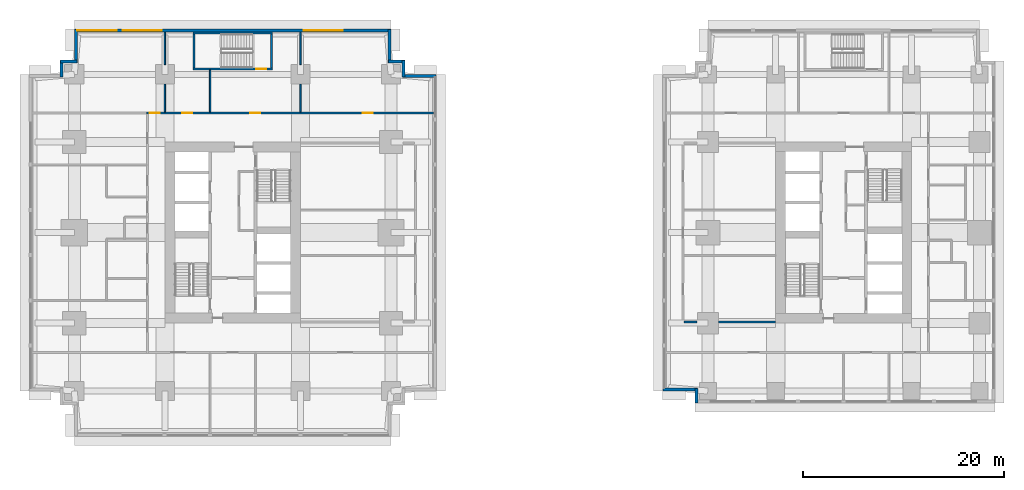
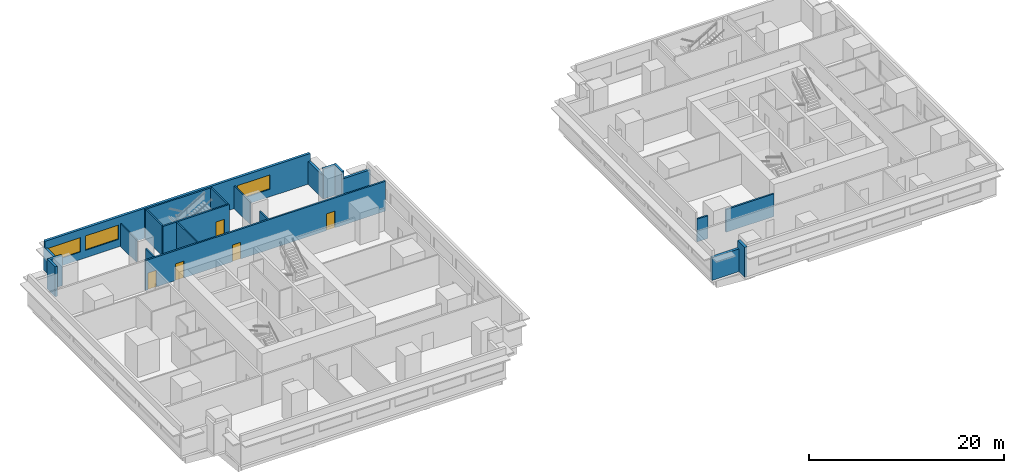
# One storey, part 5 of 11: 22 walls, 5 doors, 3 windows, 8 openings.
"""IFC4 building model written with IfcOpenShell, lengths in metres."""

from ifc_helpers import new_model, si_unit, direction, frame, frame_2d, origin, place, context, subcontext, project, spatial, rectangle, extrude, material, layer, layer_set, type_object, element, fill, save


model = new_model("IFC4")

# Units and contexts
model_context = context("Model", 3, precision=1e-05, world=origin(), true_north=direction((0.0, 1.0)))
body_context = subcontext(model_context, "Body", "Model", "MODEL_VIEW")
ifc_project = project(units=[si_unit("LENGTHUNIT", "METRE"), si_unit("AREAUNIT", "SQUARE_METRE"), si_unit("VOLUMEUNIT", "CUBIC_METRE"), si_unit("PLANEANGLEUNIT", "RADIAN"), si_unit("MASSUNIT", "GRAM", prefix="KILO")], contexts=[model_context])

# Site, building, storey
site_placement = place(None, origin())
site = spatial("IfcSite", under=ifc_project, at=site_placement, CompositionType="ELEMENT")
building_placement = place(site_placement, origin())
building = spatial("IfcBuilding", under=site, at=building_placement, Name="Namib Vertical Campus", CompositionType="ELEMENT")
storey_placement = place(building_placement, frame((0.0, 0.0, 97.0)))
storey = spatial("IfcBuildingStorey", under=building, at=storey_placement, Name="L22", CompositionType="ELEMENT", Elevation=97.0)

# Wall, openings, doors
ifc_material_1 = material(Name="Concrete masonry", Category="masonry")
ifc_layer_1 = layer(ifc_material_1, 0.199951171875)
ifc_layer_set_1 = layer_set([ifc_layer_1], Name="Corridor wall 200")
wall_type_1 = type_object("IfcWallType", Name="Corridor wall 200", PredefinedType="SOLIDWALL", material=ifc_layer_set_1)
wall_1_placement = place(storey_placement, frame((40.199951171875, 32.14990234375, 0.0), z_axis=(0.0, 0.0, 1.0), x_axis=(-1.0, 0.0, 0.0)))
wall_1 = element("IfcWall", 1, at=wall_1_placement, inside=storey, type_object=wall_type_1, Name="Corridor wall A L22 CN", PredefinedType="SOLIDWALL", context=body_context, shape_type="SweptSolid", body=[
    extrude(rectangle(XDim=28.5, YDim=0.199951171875, at=frame_2d((14.25, 0.0))), origin(), (0.0, 0.0, 1.0), 3.75),
])
opening_1_placement = place(wall_1_placement, frame((27.199951171875, 0.0, 0.0)))
opening_1 = element("IfcOpeningElement", 2, at=opening_1_placement, cuts=wall_1, Name="Opening CD1", PredefinedType="OPENING", context=body_context, shape_type="SweptSolid", body=[
    extrude(rectangle(XDim=1.0, YDim=2.10009765625, at=frame_2d((0.5, 1.050048828125))), frame((0.0, 0.10986328125, 0.0), z_axis=(0.0, -1.0, 0.0), x_axis=(1.0, 0.0, 0.0)), (0.0, 0.0, 1.0), 0.219970703125),
])
opening_2_placement = place(wall_1_placement, frame((23.949951171875, 0.0, 0.0)))
opening_2 = element("IfcOpeningElement", 3, at=opening_2_placement, cuts=wall_1, Name="Opening CD1", PredefinedType="OPENING", context=body_context, shape_type="SweptSolid", body=[
    extrude(rectangle(XDim=1.0, YDim=2.10009765625, at=frame_2d((0.5, 1.050048828125))), frame((0.0, 0.10986328125, 0.0), z_axis=(0.0, -1.0, 0.0), x_axis=(1.0, 0.0, 0.0)), (0.0, 0.0, 1.0), 0.219970703125),
])
opening_3_placement = place(wall_1_placement, frame((17.199951171875, 0.0, 0.0)))
opening_3 = element("IfcOpeningElement", 4, at=opening_3_placement, cuts=wall_1, Name="Opening CD1", PredefinedType="OPENING", context=body_context, shape_type="SweptSolid", body=[
    extrude(rectangle(XDim=1.0, YDim=2.10009765625, at=frame_2d((0.5, 1.050048828125))), frame((0.0, 0.10986328125, 0.0), z_axis=(0.0, -1.0, 0.0), x_axis=(1.0, 0.0, 0.0)), (0.0, 0.0, 1.0), 0.219970703125),
])
opening_4_placement = place(wall_1_placement, frame((6.0, 0.0, 0.0)))
opening_4 = element("IfcOpeningElement", 5, at=opening_4_placement, cuts=wall_1, Name="Opening CD1", PredefinedType="OPENING", context=body_context, shape_type="SweptSolid", body=[
    extrude(rectangle(XDim=1.0, YDim=2.10009765625, at=frame_2d((0.5, 1.050048828125))), frame((0.0, 0.10986328125, 0.0), z_axis=(0.0, -1.0, 0.0), x_axis=(1.0, 0.0, 0.0)), (0.0, 0.0, 1.0), 0.219970703125),
])
ifc_material_2 = material(Name="Timber fire door leaf", Category="wood")
door_type_1 = type_object("IfcDoorType", Name="Corridor door 1000x2100 20 min", OperationType="SINGLE_SWING_LEFT", PredefinedType="DOOR", material=ifc_material_2)
door_1_placement = place(opening_1_placement, frame((1.0, 0.0, 0.0), z_axis=(0.0, 0.0, 1.0), x_axis=(-1.0, 0.0, 0.0)))
door_1 = element("IfcDoor", 6, at=door_1_placement, inside=storey, type_object=door_type_1, Name="Door CD1 A22-07", OperationType="SINGLE_SWING_RIGHT", OverallHeight=2.10009765625, OverallWidth=1.0, PredefinedType="DOOR", context=body_context, shape_type="SweptSolid", body=[
    extrude(rectangle(XDim=1.0, YDim=2.10009765625, at=frame_2d((0.5, 1.050048828125))), frame((0.0, 0.02490234375, 0.0), z_axis=(0.0, -1.0, 0.0), x_axis=(1.0, 0.0, 0.0)), (0.0, 0.0, 1.0), 0.050048828125),
])
fill(opening_1, door_1)
door_2_placement = place(opening_2_placement, frame((1.0, 0.0, 0.0), z_axis=(0.0, 0.0, 1.0), x_axis=(-1.0, 0.0, 0.0)))
door_2 = element("IfcDoor", 7, at=door_2_placement, inside=storey, type_object=door_type_1, Name="Door CD1 A22-08", OperationType="SINGLE_SWING_RIGHT", OverallHeight=2.10009765625, OverallWidth=1.0, PredefinedType="DOOR", context=body_context, shape_type="SweptSolid", body=[
    extrude(rectangle(XDim=1.0, YDim=2.10009765625, at=frame_2d((0.5, 1.050048828125))), frame((0.0, 0.02490234375, 0.0), z_axis=(0.0, -1.0, 0.0), x_axis=(1.0, 0.0, 0.0)), (0.0, 0.0, 1.0), 0.050048828125),
])
fill(opening_2, door_2)
door_3_placement = place(opening_3_placement, frame((1.0, 0.0, 0.0), z_axis=(0.0, 0.0, 1.0), x_axis=(-1.0, 0.0, 0.0)))
door_3 = element("IfcDoor", 8, at=door_3_placement, inside=storey, type_object=door_type_1, Name="Door CD1 A22-09", OperationType="SINGLE_SWING_RIGHT", OverallHeight=2.10009765625, OverallWidth=1.0, PredefinedType="DOOR", context=body_context, shape_type="SweptSolid", body=[
    extrude(rectangle(XDim=1.0, YDim=2.10009765625, at=frame_2d((0.5, 1.050048828125))), frame((0.0, 0.02490234375, 0.0), z_axis=(0.0, -1.0, 0.0), x_axis=(1.0, 0.0, 0.0)), (0.0, 0.0, 1.0), 0.050048828125),
])
fill(opening_3, door_3)
door_4_placement = place(opening_4_placement, frame((1.0, 0.0, 0.0), z_axis=(0.0, 0.0, 1.0), x_axis=(-1.0, 0.0, 0.0)))
door_4 = element("IfcDoor", 9, at=door_4_placement, inside=storey, type_object=door_type_1, Name="Door CD1 A22-10", OperationType="SINGLE_SWING_LEFT", OverallHeight=2.10009765625, OverallWidth=1.0, PredefinedType="DOOR", context=body_context, shape_type="SweptSolid", body=[
    extrude(rectangle(XDim=1.0, YDim=2.10009765625, at=frame_2d((0.5, 1.050048828125))), frame((0.0, 0.02490234375, 0.0), z_axis=(0.0, -1.0, 0.0), x_axis=(1.0, 0.0, 0.0)), (0.0, 0.0, 1.0), 0.050048828125),
])
fill(opening_4, door_4)

# Walls
wall_2_placement = place(storey_placement, frame((65.14990234375, 11.35009765625, 0.0), z_axis=(0.0, 0.0, 1.0), x_axis=(1.0, 0.0, 0.0)))
element("IfcWall", 10, at=wall_2_placement, inside=storey, type_object=wall_type_1, Name="Corridor wall B L22 GS", PredefinedType="SOLIDWALL", context=body_context, shape_type="SweptSolid", body=[
    extrude(rectangle(XDim=1.280029296875, YDim=0.199951171875, at=frame_2d((0.64013671875, 0.0))), origin(), (0.0, 0.0, 1.0), 2.85009765625),
])
wall_3_placement = place(storey_placement, frame((68.570068359375, 11.35009765625, 0.0), z_axis=(0.0, 0.0, 1.0), x_axis=(1.0, 0.0, 0.0)))
element("IfcWall", 11, at=wall_3_placement, inside=storey, type_object=wall_type_1, Name="Corridor wall B L22 GS", PredefinedType="SOLIDWALL", context=body_context, shape_type="SweptSolid", body=[
    extrude(rectangle(XDim=5.679931640625, YDim=0.199951171875, at=frame_2d((2.83984375, 0.0))), origin(), (0.0, 0.0, 1.0), 2.85009765625),
])
ifc_material_3 = material(Name="Concrete C40/50", Category="concrete")
ifc_layer_2 = layer(ifc_material_3, 0.300048828125)
ifc_layer_set_2 = layer_set([ifc_layer_2], Name="Concrete C40/50")
wall_type_2 = type_object("IfcWallType", Name="External wall 300 board-marked concrete", PredefinedType="STANDARD", material=ifc_layer_set_2)
wall_4_placement = place(storey_placement, frame((40.47998046875, 35.85009765625, 0.0), z_axis=(0.0, 0.0, 1.0), x_axis=(-1.0, 0.0, 0.0)))
element("IfcWall", 12, at=wall_4_placement, inside=storey, type_object=wall_type_2, Name="External wall L22 F07", PredefinedType="STANDARD", context=body_context, shape_type="SweptSolid", body=[
    extrude(rectangle(XDim=3.35986328125, YDim=0.300048828125, at=frame_2d((1.679931640625, 0.0))), origin(), (0.0, 0.0, 1.0), 2.85009765625),
])
for number, where, z_axis, x_axis, name in (
    (13, (37.25, 35.719970703125, 0.0), (0.0, 0.0, 1.0), (0.0, 1.0, 0.0), "External wall L22 F08"),
    (14, (37.3798828125, 37.25, 0.0), (0.0, 0.0, 1.0), (-1.0, 0.0, 0.0), "External wall L22 F09"),
):
    element("IfcWall", number, at=place(storey_placement, frame(where, z_axis=z_axis, x_axis=x_axis)), inside=storey, type_object=wall_type_2, Name=name, PredefinedType="STANDARD", context=body_context, shape_type="SweptSolid", body=[
        extrude(rectangle(XDim=1.659912109375, YDim=0.300048828125, at=frame_2d((0.830078125, 0.0))), origin(), (0.0, 0.0, 1.0), 3.75),
    ])
wall_5_placement = place(storey_placement, frame((35.85009765625, 37.1201171875, 0.0), z_axis=(0.0, 0.0, 1.0), x_axis=(0.0, 1.0, 0.0)))
element("IfcWall", 15, at=wall_5_placement, inside=storey, type_object=wall_type_2, Name="External wall L22 F10", PredefinedType="STANDARD", context=body_context, shape_type="SweptSolid", body=[
    extrude(rectangle(XDim=3.35986328125, YDim=0.300048828125, at=frame_2d((1.679931640625, 0.0))), origin(), (0.0, 0.0, 1.0), 2.85009765625),
])

# Wall, openings, windows
wall_6_placement = place(storey_placement, frame((35.97998046875, 40.35009765625, 0.0), z_axis=(0.0, 0.0, 1.0), x_axis=(-1.0, 0.0, 0.0)))
wall_6 = element("IfcWall", 16, at=wall_6_placement, inside=storey, type_object=wall_type_2, Name="External wall L22 F11", PredefinedType="STANDARD", context=body_context, shape_type="SweptSolid", body=[
    extrude(rectangle(XDim=31.4599609375, YDim=0.300048828125, at=frame_2d((15.72998046875, 0.0))), origin(), (0.0, 0.0, 1.0), 3.75),
])
opening_5_placement = place(wall_6_placement, frame((27.280029296875, 0.0, 0.949951171875)))
opening_5 = element("IfcOpeningElement", 17, at=opening_5_placement, cuts=wall_6, Name="Opening W3", PredefinedType="OPENING", context=body_context, shape_type="SweptSolid", body=[
    extrude(rectangle(XDim=3.89990234375, YDim=1.800048828125, at=frame_2d((1.949951171875, 0.89990234375))), frame((0.0, 0.159912109375, 0.0), z_axis=(0.0, -1.0, 0.0), x_axis=(1.0, 0.0, 0.0)), (0.0, 0.0, 1.0), 0.320068359375),
])
opening_6_placement = place(wall_6_placement, frame((22.780029296875, 0.0, 0.949951171875)))
opening_6 = element("IfcOpeningElement", 18, at=opening_6_placement, cuts=wall_6, Name="Opening W3", PredefinedType="OPENING", context=body_context, shape_type="SweptSolid", body=[
    extrude(rectangle(XDim=3.89990234375, YDim=1.800048828125, at=frame_2d((1.949951171875, 0.89990234375))), frame((0.0, 0.159912109375, 0.0), z_axis=(0.0, -1.0, 0.0), x_axis=(1.0, 0.0, 0.0)), (0.0, 0.0, 1.0), 0.320068359375),
])
opening_7_placement = place(wall_6_placement, frame((4.780029296875, 0.0, 0.949951171875)))
opening_7 = element("IfcOpeningElement", 19, at=opening_7_placement, cuts=wall_6, Name="Opening W3", PredefinedType="OPENING", context=body_context, shape_type="SweptSolid", body=[
    extrude(rectangle(XDim=3.89990234375, YDim=1.800048828125, at=frame_2d((1.949951171875, 0.89990234375))), frame((0.0, 0.159912109375, 0.0), z_axis=(0.0, -1.0, 0.0), x_axis=(1.0, 0.0, 0.0)), (0.0, 0.0, 1.0), 0.320068359375),
])
ifc_material_4 = material(Name="Dark tinted glass in black aluminium frame", Category="aluminium")
window_type = type_object("IfcWindowType", Name="Ribbon window 3900x1800", PartitioningType="SINGLE_PANEL", PredefinedType="WINDOW", material=ifc_material_4)
window_1_placement = place(opening_5_placement, origin())
window_1 = element("IfcWindow", 20, at=window_1_placement, inside=storey, type_object=window_type, Name="Window W3 L22 F11-1", OverallHeight=1.800048828125, OverallWidth=3.89990234375, PartitioningType="SINGLE_PANEL", PredefinedType="WINDOW", context=body_context, shape_type="SweptSolid", body=[
    extrude(rectangle(XDim=3.89990234375, YDim=1.800048828125, at=frame_2d((1.949951171875, 0.89990234375))), frame((0.0, 0.030029296875, 0.0), z_axis=(0.0, -1.0, 0.0), x_axis=(1.0, 0.0, 0.0)), (0.0, 0.0, 1.0), 0.06005859375),
])
fill(opening_5, window_1)
window_2_placement = place(opening_6_placement, origin())
window_2 = element("IfcWindow", 21, at=window_2_placement, inside=storey, type_object=window_type, Name="Window W3 L22 F11-2", OverallHeight=1.800048828125, OverallWidth=3.89990234375, PartitioningType="SINGLE_PANEL", PredefinedType="WINDOW", context=body_context, shape_type="SweptSolid", body=[
    extrude(rectangle(XDim=3.89990234375, YDim=1.800048828125, at=frame_2d((1.949951171875, 0.89990234375))), frame((0.0, 0.030029296875, 0.0), z_axis=(0.0, -1.0, 0.0), x_axis=(1.0, 0.0, 0.0)), (0.0, 0.0, 1.0), 0.06005859375),
])
fill(opening_6, window_2)
window_3_placement = place(opening_7_placement, origin())
window_3 = element("IfcWindow", 22, at=window_3_placement, inside=storey, type_object=window_type, Name="Window W3 L22 F11-6", OverallHeight=1.800048828125, OverallWidth=3.89990234375, PartitioningType="SINGLE_PANEL", PredefinedType="WINDOW", context=body_context, shape_type="SweptSolid", body=[
    extrude(rectangle(XDim=3.89990234375, YDim=1.800048828125, at=frame_2d((1.949951171875, 0.89990234375))), frame((0.0, 0.030029296875, 0.0), z_axis=(0.0, -1.0, 0.0), x_axis=(1.0, 0.0, 0.0)), (0.0, 0.0, 1.0), 0.06005859375),
])
fill(opening_7, window_3)

# Walls
wall_7_placement = place(storey_placement, frame((4.64990234375, 40.47998046875, 0.0), z_axis=(0.0, 0.0, 1.0), x_axis=(0.0, -1.0, 0.0)))
element("IfcWall", 23, at=wall_7_placement, inside=storey, type_object=wall_type_2, Name="External wall L22 F12", PredefinedType="STANDARD", context=body_context, shape_type="SweptSolid", body=[
    extrude(rectangle(XDim=3.35986328125, YDim=0.300048828125, at=frame_2d((1.679931640625, 0.0))), origin(), (0.0, 0.0, 1.0), 2.85009765625),
])
for number, where, z_axis, x_axis, name in (
    (24, (4.780029296875, 37.25, 0.0), (0.0, 0.0, 1.0), (-1.0, 0.0, 0.0), "External wall L22 F13"),
    (25, (3.25, 37.3798828125, 0.0), (0.0, 0.0, 1.0), (0.0, -1.0, 0.0), "External wall L22 F14"),
):
    element("IfcWall", number, at=place(storey_placement, frame(where, z_axis=z_axis, x_axis=x_axis)), inside=storey, type_object=wall_type_2, Name=name, PredefinedType="STANDARD", context=body_context, shape_type="SweptSolid", body=[
        extrude(rectangle(XDim=1.659912109375, YDim=0.300048828125, at=frame_2d((0.830078125, 0.0))), origin(), (0.0, 0.0, 1.0), 3.75),
    ])
wall_8_placement = place(storey_placement, frame((63.02001953125, 4.64990234375, 0.0), z_axis=(0.0, 0.0, 1.0), x_axis=(1.0, 0.0, 0.0)))
element("IfcWall", 26, at=wall_8_placement, inside=storey, type_object=wall_type_2, Name="External wall L22 F01", PredefinedType="STANDARD", context=body_context, shape_type="SweptSolid", body=[
    extrude(rectangle(XDim=3.4599609375, YDim=0.300048828125, at=frame_2d((1.72998046875, 0.0))), origin(), (0.0, 0.0, 1.0), 2.85009765625),
])
wall_9_placement = place(storey_placement, frame((66.35009765625, 4.780029296875, 0.0), z_axis=(0.0, 0.0, 1.0), x_axis=(0.0, -1.0, 0.0)))
element("IfcWall", 27, at=wall_9_placement, inside=storey, type_object=wall_type_2, Name="External wall L22 F02", PredefinedType="STANDARD", context=body_context, shape_type="SweptSolid", body=[
    extrude(rectangle(XDim=1.4599609375, YDim=0.300048828125, at=frame_2d((0.72998046875, 0.0))), origin(), (0.0, 0.0, 1.0), 3.75),
])
ifc_material_5 = material(Name="Gypsum board on steel studs", Category="steel")
ifc_layer_3 = layer(ifc_material_5, 0.14990234375)
ifc_layer_set_3 = layer_set([ifc_layer_3], Name="Gypsum board on steel studs")
wall_type_3 = type_object("IfcWallType", Name="Partition 150", PredefinedType="PARTITIONING", material=ifc_layer_set_3)
wall_10_placement = place(storey_placement, frame((13.5, 32.25, 0.0), z_axis=(0.0, 0.0, 1.0), x_axis=(0.0, 1.0, 0.0)))
element("IfcWall", 28, at=wall_10_placement, inside=storey, type_object=wall_type_3, Name="Partition A L22 PN1", PredefinedType="PARTITIONING", context=body_context, shape_type="SweptSolid", body=[
    extrude(rectangle(XDim=2.780029296875, YDim=0.14990234375, at=frame_2d((1.39013671875, 0.0))), origin(), (0.0, 0.0, 1.0), 2.85009765625),
])
wall_11_placement = place(storey_placement, frame((13.5, 36.969970703125, 0.0), z_axis=(0.0, 0.0, 1.0), x_axis=(0.0, 1.0, 0.0)))
element("IfcWall", 29, at=wall_11_placement, inside=storey, type_object=wall_type_3, Name="Partition A L22 PN1", PredefinedType="PARTITIONING", context=body_context, shape_type="SweptSolid", body=[
    extrude(rectangle(XDim=3.22998046875, YDim=0.14990234375, at=frame_2d((1.614990234375, 0.0))), origin(), (0.0, 0.0, 1.0), 2.85009765625),
])
wall_12_placement = place(storey_placement, frame((18.0, 32.25, 0.0), z_axis=(0.0, 0.0, 1.0), x_axis=(0.0, 1.0, 0.0)))
element("IfcWall", 30, at=wall_12_placement, inside=storey, type_object=wall_type_3, Name="Partition A L22 PN2", PredefinedType="PARTITIONING", context=body_context, shape_type="SweptSolid", body=[
    extrude(rectangle(XDim=4.199951171875, YDim=0.14990234375, at=frame_2d((2.10009765625, 0.0))), origin(), (0.0, 0.0, 1.0), 3.75),
])
wall_13_placement = place(storey_placement, frame((27.0, 32.25, 0.0), z_axis=(0.0, 0.0, 1.0), x_axis=(0.0, 1.0, 0.0)))
element("IfcWall", 31, at=wall_13_placement, inside=storey, type_object=wall_type_3, Name="Partition A L22 PN3", PredefinedType="PARTITIONING", context=body_context, shape_type="SweptSolid", body=[
    extrude(rectangle(XDim=2.780029296875, YDim=0.14990234375, at=frame_2d((1.39013671875, 0.0))), origin(), (0.0, 0.0, 1.0), 2.85009765625),
])
wall_14_placement = place(storey_placement, frame((27.0, 36.969970703125, 0.0), z_axis=(0.0, 0.0, 1.0), x_axis=(0.0, 1.0, 0.0)))
element("IfcWall", 32, at=wall_14_placement, inside=storey, type_object=wall_type_3, Name="Partition A L22 PN3", PredefinedType="PARTITIONING", context=body_context, shape_type="SweptSolid", body=[
    extrude(rectangle(XDim=3.22998046875, YDim=0.14990234375, at=frame_2d((1.614990234375, 0.0))), origin(), (0.0, 0.0, 1.0), 2.85009765625),
])

# Wall, opening, door
ifc_material_6 = material(Name="Concrete C40/50", Category="concrete")
ifc_layer_4 = layer(ifc_material_6, 0.199951171875)
ifc_layer_set_4 = layer_set([ifc_layer_4], Name="Concrete C40/50")
wall_type_4 = type_object("IfcWallType", Name="Stair enclosure wall RC 200", PredefinedType="SOLIDWALL", material=ifc_layer_set_4)
wall_15_placement = place(storey_placement, frame((16.300048828125, 36.550048828125, 0.0), z_axis=(0.0, 0.0, 1.0), x_axis=(1.0, 0.0, 0.0)))
wall_15 = element("IfcWall", 33, at=wall_15_placement, inside=storey, type_object=wall_type_4, Name="Stair enclosure wall A-S3 L22 S", PredefinedType="SOLIDWALL", context=body_context, shape_type="SweptSolid", body=[
    extrude(rectangle(XDim=7.89990234375, YDim=0.199951171875, at=frame_2d((3.949951171875, 0.0))), origin(), (0.0, 0.0, 1.0), 3.75),
])
opening_8_placement = place(wall_15_placement, frame((6.300048828125, 0.0, 0.0)))
opening_8 = element("IfcOpeningElement", 34, at=opening_8_placement, cuts=wall_15, Name="Opening FD1", PredefinedType="OPENING", context=body_context, shape_type="SweptSolid", body=[
    extrude(rectangle(XDim=1.0, YDim=2.10009765625, at=frame_2d((0.5, 1.050048828125))), frame((0.0, 0.10986328125, 0.0), z_axis=(0.0, -1.0, 0.0), x_axis=(1.0, 0.0, 0.0)), (0.0, 0.0, 1.0), 0.219970703125),
])
ifc_material_7 = material(Name="Steel fire door", Category="steel")
door_type_2 = type_object("IfcDoorType", Name="Fire door 1000x2100", OperationType="SINGLE_SWING_RIGHT", PredefinedType="DOOR", material=ifc_material_7)
door_5_placement = place(opening_8_placement, origin())
door_5 = element("IfcDoor", 35, at=door_5_placement, inside=storey, type_object=door_type_2, Name="Stair door FD1 A L22 S3", OperationType="SINGLE_SWING_RIGHT", OverallHeight=2.10009765625, OverallWidth=1.0, PredefinedType="DOOR", context=body_context, shape_type="SweptSolid", body=[
    extrude(rectangle(XDim=1.0, YDim=2.10009765625, at=frame_2d((0.5, 1.050048828125))), frame((0.0, 0.02490234375, 0.0), z_axis=(0.0, -1.0, 0.0), x_axis=(1.0, 0.0, 0.0)), (0.0, 0.0, 1.0), 0.050048828125),
])
fill(opening_8, door_5)

# Walls
wall_16_placement = place(storey_placement, frame((16.300048828125, 40.10009765625, 0.0), z_axis=(0.0, 0.0, 1.0), x_axis=(1.0, 0.0, 0.0)))
element("IfcWall", 36, at=wall_16_placement, inside=storey, type_object=wall_type_4, Name="Stair enclosure wall A-S3 L22 N", PredefinedType="SOLIDWALL", context=body_context, shape_type="SweptSolid", body=[
    extrude(rectangle(XDim=7.89990234375, YDim=0.199951171875, at=frame_2d((3.949951171875, 0.0))), origin(), (0.0, 0.0, 1.0), 3.75),
])
for number, where, z_axis, x_axis, name in (
    (37, (16.39990234375, 36.64990234375, 0.0), (0.0, 0.0, 1.0), (0.0, 1.0, 0.0), "Stair enclosure wall A-S3 L22 W"),
    (38, (24.10009765625, 36.64990234375, 0.0), (0.0, 0.0, 1.0), (0.0, 1.0, 0.0), "Stair enclosure wall A-S3 L22 E"),
):
    element("IfcWall", number, at=place(storey_placement, frame(where, z_axis=z_axis, x_axis=x_axis)), inside=storey, type_object=wall_type_4, Name=name, PredefinedType="SOLIDWALL", context=body_context, shape_type="SweptSolid", body=[
        extrude(rectangle(XDim=3.35009765625, YDim=0.199951171875, at=frame_2d((1.675048828125, 0.0))), origin(), (0.0, 0.0, 1.0), 3.75),
    ])

save(model, "model.ifc")
